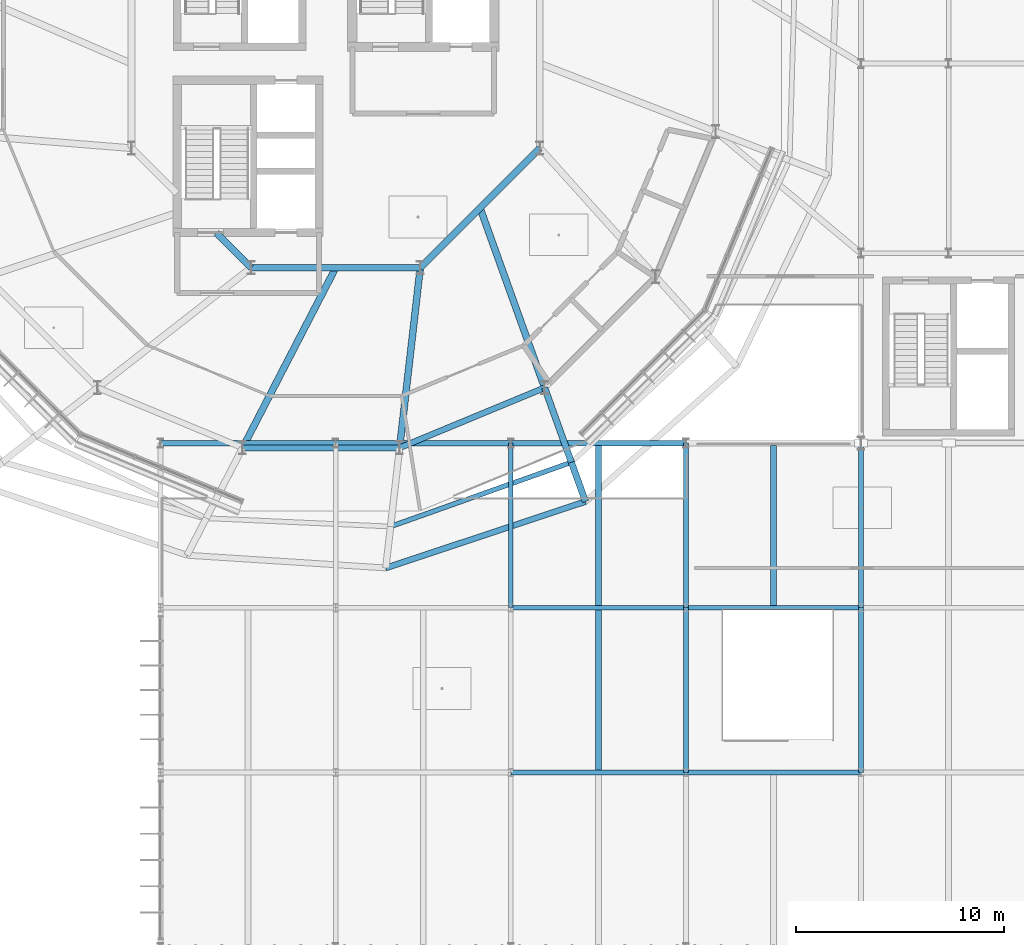
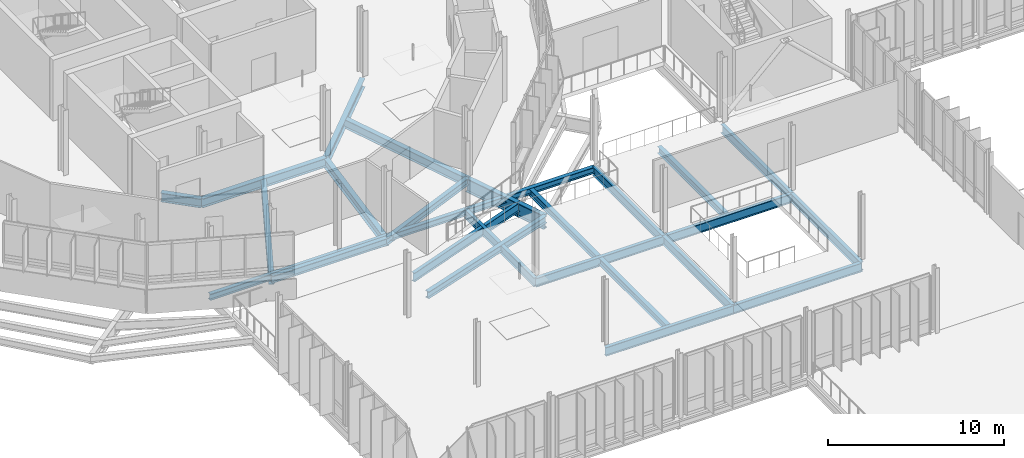
# One storey, part 30 of 139: 27 beams.
"""IFC4 building model written with IfcOpenShell, lengths in metres."""

from ifc_helpers import new_model, si_unit, derived_unit, direction, frame, origin, origin_2d, place, context, subcontext, project, spatial, i_section, extrude, material, material_profile, profile_set, type_object, element, save


model = new_model("IFC4")

# Units and contexts
model_context = context("Model", 3, precision=1e-05, world=origin(), true_north=direction((0.0, 1.0)))
body_context = subcontext(model_context, "Body", "Model", "MODEL_VIEW")
ifc_project = project(units=[si_unit("LENGTHUNIT", "METRE"), si_unit("AREAUNIT", "SQUARE_METRE"), si_unit("VOLUMEUNIT", "CUBIC_METRE"), si_unit("PLANEANGLEUNIT", "RADIAN"), si_unit("MASSUNIT", "GRAM", prefix="KILO"), derived_unit("THERMALTRANSMITTANCEUNIT", [(si_unit("MASSUNIT", "GRAM", prefix="KILO"), 1), (si_unit("TIMEUNIT", "SECOND"), -3), (si_unit("THERMODYNAMICTEMPERATUREUNIT", "KELVIN"), -1)])], contexts=[model_context])

# Site, building, storey
site_placement = place(None, origin())
site = spatial("IfcSite", under=ifc_project, at=site_placement, CompositionType="ELEMENT")
building_placement = place(site_placement, origin())
building = spatial("IfcBuilding", under=site, at=building_placement, Name="Makaiwela Harbour Ferry Terminal", CompositionType="ELEMENT")
storey_placement = place(building_placement, frame((0.0, 0.0, 5.10009765625)))
storey = spatial("IfcBuildingStorey", under=building, at=storey_placement, Name="L01", CompositionType="ELEMENT", Elevation=5.10009765625)

# Beams
ifc_material = material(Name="Steel ASTM A992 Grade 50", Category="steel")
ifc_material_profile_1 = material_profile(ifc_material, i_section(OverallWidth=0.280029296875, OverallDepth=0.462890625, WebThickness=0.0107421875, FlangeThickness=0.017333984375, at=origin_2d()), Name="W18X76")
ifc_profile_set_1 = profile_set([ifc_material_profile_1], Name="Steel ASTM A992 Grade 50")
beam_type_1 = type_object("IfcBeamType", Name="STR-BM-W18X76", PredefinedType="BEAM", material=ifc_profile_set_1)
beam_1_placement = place(storey_placement, frame((50.39990234375, 33.696533203125, -0.51171875), z_axis=(0.0, 1.0, 0.0), x_axis=(-1.0, 0.0, 0.0)))
element("IfcBeam", 1, at=beam_1_placement, inside=storey, type_object=beam_type_1, Name="Secondary floor beam 1068", PredefinedType="BEAM", context=body_context, shape_type="SweptSolid", body=[
    extrude(i_section(OverallWidth=0.280029296875, OverallDepth=0.462890625, WebThickness=0.0107421875, FlangeThickness=0.017333984375, at=origin_2d()), origin(), (0.0, 0.0, 1.0), 7.70703125),
])
for number, where, z_axis, x_axis, name in (
    (2, (50.39990234375, 41.596435546875, -0.51171875), (0.0, 1.0, 0.0), (-1.0, 0.0, 0.0), "Secondary floor beam 1069"),
    (3, (58.800048828125, 41.596435546875, -0.51171875), (0.0, 1.0, 0.0), (-1.0, 0.0, 0.0), "Secondary floor beam 1074"),
):
    element("IfcBeam", number, at=place(storey_placement, frame(where, z_axis=z_axis, x_axis=x_axis)), inside=storey, type_object=beam_type_1, Name=name, PredefinedType="BEAM", context=body_context, shape_type="SweptSolid", body=[
        extrude(i_section(OverallWidth=0.280029296875, OverallDepth=0.462890625, WebThickness=0.0107421875, FlangeThickness=0.017333984375, at=origin_2d()), origin(), (0.0, 0.0, 1.0), 7.68896484375),
    ])
ifc_material_profile_2 = material_profile(ifc_material, i_section(OverallWidth=0.324951171875, OverallDepth=0.615966796875, WebThickness=0.013916015625, FlangeThickness=0.021484375, at=origin_2d()), Name="W24X117")
ifc_profile_set_2 = profile_set([ifc_material_profile_2], Name="Steel ASTM A992 Grade 50")
beam_type_2 = type_object("IfcBeamType", Name="STR-GRD-W24X117", PredefinedType="USERDEFINED", material=ifc_profile_set_2)
beam_2_placement = place(storey_placement, frame((32.070556640625, 59.47998046875, -0.588134765625), z_axis=(0.707106781187, -0.707106781187, 0.0), x_axis=(0.707106781187, 0.707106781187, 0.0)))
element("IfcBeam", 4, at=beam_2_placement, inside=storey, type_object=beam_type_2, Name="Drum inner ring girder 8", ObjectType="GIRDER", PredefinedType="USERDEFINED", context=body_context, shape_type="SweptSolid", body=[
    extrude(i_section(OverallWidth=0.324951171875, OverallDepth=0.615966796875, WebThickness=0.013916015625, FlangeThickness=0.021484375, at=origin_2d()), origin(), (0.0, 0.0, 1.0), 2.3662109375),
])
for number, where, z_axis, x_axis, name in (
    (5, (33.74365234375, 57.806884765625, -0.588134765625), (1.0, 0.0, 0.0), (0.0, 1.0, 0.0), "Drum inner ring girder 9"),
    (6, (41.8564453125, 57.806884765625, -0.588134765625), (0.707091734601, 0.707121827452, 0.0), (-0.707121827452, 0.707091734601, 0.0), "Drum inner ring girder 10"),
):
    element("IfcBeam", number, at=place(storey_placement, frame(where, z_axis=z_axis, x_axis=x_axis)), inside=storey, type_object=beam_type_2, Name=name, ObjectType="GIRDER", PredefinedType="USERDEFINED", context=body_context, shape_type="SweptSolid", body=[
        extrude(i_section(OverallWidth=0.324951171875, OverallDepth=0.615966796875, WebThickness=0.013916015625, FlangeThickness=0.021484375, at=origin_2d()), origin(), (0.0, 0.0, 1.0), 8.11279296875),
    ])
beam_3_placement = place(storey_placement, frame((37.800048828125, 57.806884765625, -0.588134765625), z_axis=(-0.459296530257, -0.888283005181, 0.0), x_axis=(0.888283005181, -0.459296530257, 0.0)))
element("IfcBeam", 7, at=beam_3_placement, inside=storey, type_object=beam_type_2, Name="Drum radial girder 63", ObjectType="GIRDER", PredefinedType="USERDEFINED", context=body_context, shape_type="SweptSolid", body=[
    extrude(i_section(OverallWidth=0.324951171875, OverallDepth=0.615966796875, WebThickness=0.013916015625, FlangeThickness=0.021484375, at=origin_2d()), origin(), (0.0, 0.0, 1.0), 9.72216796875),
])
beam_4_placement = place(storey_placement, frame((41.8564453125, 57.806884765625, -0.588134765625), z_axis=(-0.11402817728, -0.993477515994, 0.0), x_axis=(0.993477515994, -0.11402817728, 0.0)))
element("IfcBeam", 8, at=beam_4_placement, inside=storey, type_object=beam_type_2, Name="Drum radial girder 66", ObjectType="GIRDER", PredefinedType="USERDEFINED", context=body_context, shape_type="SweptSolid", body=[
    extrude(i_section(OverallWidth=0.324951171875, OverallDepth=0.615966796875, WebThickness=0.013916015625, FlangeThickness=0.021484375, at=origin_2d()), origin(), (0.0, 0.0, 1.0), 8.692626953125),
])
beam_5_placement = place(storey_placement, frame((44.724853515625, 60.67529296875, -0.588134765625), z_axis=(0.338086262621, -0.941115125278, 0.0), x_axis=(0.941115125278, 0.338086262621, 0.0)))
element("IfcBeam", 9, at=beam_5_placement, inside=storey, type_object=beam_type_2, Name="Drum radial girder 69", ObjectType="GIRDER", PredefinedType="USERDEFINED", context=body_context, shape_type="SweptSolid", body=[
    extrude(i_section(OverallWidth=0.324951171875, OverallDepth=0.615966796875, WebThickness=0.013916015625, FlangeThickness=0.021484375, at=origin_2d()), origin(), (0.0, 0.0, 1.0), 9.162353515625),
])
ifc_material_profile_3 = material_profile(ifc_material, i_section(OverallWidth=0.22900390625, OverallDepth=0.612060546875, WebThickness=0.011962890625, FlangeThickness=0.01953125, at=origin_2d()), Name="W24X84")
ifc_profile_set_3 = profile_set([ifc_material_profile_3], Name="Steel ASTM A992 Grade 50")
beam_type_3 = type_object("IfcBeamType", Name="STR-GRD-W24X84", PredefinedType="USERDEFINED", material=ifc_profile_set_3)
beam_6_placement = place(storey_placement, frame((40.431884765625, 45.3955078125, -0.586181640625), z_axis=(0.942345758872, 0.334640808533, 0.0), x_axis=(-0.334640808533, 0.942345758872, 0.0)))
element("IfcBeam", 10, at=beam_6_placement, inside=storey, type_object=beam_type_3, Name="Drum overhang tie girder 99", ObjectType="GIRDER", PredefinedType="USERDEFINED", context=body_context, shape_type="SweptSolid", body=[
    extrude(i_section(OverallWidth=0.22900390625, OverallDepth=0.612060546875, WebThickness=0.011962890625, FlangeThickness=0.01953125, at=origin_2d()), origin(), (0.0, 0.0, 1.0), 9.206298828125),
])
beam_7_placement = place(storey_placement, frame((46.199951171875, 33.60009765625, -0.586181640625), z_axis=(1.0, 0.0, 0.0), x_axis=(0.0, 1.0, 0.0)))
element("IfcBeam", 11, at=beam_7_placement, inside=storey, type_object=beam_type_3, Name="Primary X girder 781", ObjectType="GIRDER", PredefinedType="USERDEFINED", context=body_context, shape_type="SweptSolid", body=[
    extrude(i_section(OverallWidth=0.22900390625, OverallDepth=0.612060546875, WebThickness=0.011962890625, FlangeThickness=0.01953125, at=origin_2d()), origin(), (0.0, 0.0, 1.0), 8.400146484375),
])
beam_8_placement = place(storey_placement, frame((54.60009765625, 33.60009765625, -0.586181640625), z_axis=(1.0, 0.0, 0.0), x_axis=(0.0, 1.0, 0.0)))
element("IfcBeam", 12, at=beam_8_placement, inside=storey, type_object=beam_type_3, Name="Primary X girder 782", ObjectType="GIRDER", PredefinedType="USERDEFINED", context=body_context, shape_type="SweptSolid", body=[
    extrude(i_section(OverallWidth=0.22900390625, OverallDepth=0.612060546875, WebThickness=0.011962890625, FlangeThickness=0.01953125, at=origin_2d()), origin(), (0.0, 0.0, 1.0), 8.39990234375),
])
beam_9_placement = place(storey_placement, frame((46.199951171875, 41.5, -0.586181640625), z_axis=(1.0, 0.0, 0.0), x_axis=(0.0, 1.0, 0.0)))
element("IfcBeam", 13, at=beam_9_placement, inside=storey, type_object=beam_type_3, Name="Primary X girder 798", ObjectType="GIRDER", PredefinedType="USERDEFINED", context=body_context, shape_type="SweptSolid", body=[
    extrude(i_section(OverallWidth=0.22900390625, OverallDepth=0.612060546875, WebThickness=0.011962890625, FlangeThickness=0.01953125, at=origin_2d()), origin(), (0.0, 0.0, 1.0), 8.400146484375),
])
beam_10_placement = place(storey_placement, frame((54.60009765625, 41.5, -0.586181640625), z_axis=(1.0, 0.0, 0.0), x_axis=(0.0, 1.0, 0.0)))
element("IfcBeam", 14, at=beam_10_placement, inside=storey, type_object=beam_type_3, Name="Primary X girder 799", ObjectType="GIRDER", PredefinedType="USERDEFINED", context=body_context, shape_type="SweptSolid", body=[
    extrude(i_section(OverallWidth=0.22900390625, OverallDepth=0.612060546875, WebThickness=0.011962890625, FlangeThickness=0.01953125, at=origin_2d()), origin(), (0.0, 0.0, 1.0), 8.39990234375),
])
for number, where, z_axis, x_axis, name in (
    (15, (46.199951171875, 41.5, -0.586181640625), (0.0, 1.0, 0.0), (-1.0, 0.0, 0.0), "Primary Y girder 915"),
    (16, (54.60009765625, 33.60009765625, -0.586181640625), (0.0, 1.0, 0.0), (-1.0, 0.0, 0.0), "Primary Y girder 920"),
    (17, (54.60009765625, 41.5, -0.586181640625), (0.0, 1.0, 0.0), (-1.0, 0.0, 0.0), "Primary Y girder 921"),
    (18, (63.0, 33.60009765625, -0.586181640625), (0.0, 1.0, 0.0), (-1.0, 0.0, 0.0), "Primary Y girder 926"),
    (19, (63.0, 41.5, -0.586181640625), (0.0, 1.0, 0.0), (-1.0, 0.0, 0.0), "Primary Y girder 927"),
):
    element("IfcBeam", number, at=place(storey_placement, frame(where, z_axis=z_axis, x_axis=x_axis)), inside=storey, type_object=beam_type_3, Name=name, ObjectType="GIRDER", PredefinedType="USERDEFINED", context=body_context, shape_type="SweptSolid", body=[
        extrude(i_section(OverallWidth=0.22900390625, OverallDepth=0.612060546875, WebThickness=0.011962890625, FlangeThickness=0.01953125, at=origin_2d()), origin(), (0.0, 0.0, 1.0), 7.89990234375),
    ])
ifc_material_profile_4 = material_profile(ifc_material, i_section(OverallWidth=0.31005859375, OverallDepth=0.949951171875, WebThickness=0.0244140625, FlangeThickness=0.0439453125, at=origin_2d()), Name="W36X256")
ifc_profile_set_4 = profile_set([ifc_material_profile_4], Name="Steel ASTM A992 Grade 50")
beam_type_4 = type_object("IfcBeamType", Name="STR-GRD-W36X256", PredefinedType="USERDEFINED", material=ifc_profile_set_4)
beam_11_placement = place(storey_placement, frame((47.822509765625, 52.052490234375, -0.755126953125), z_axis=(0.338134714011, -0.941097718189, 0.0), x_axis=(0.941097718189, 0.338134714011, 0.0)))
element("IfcBeam", 20, at=beam_11_placement, inside=storey, type_object=beam_type_4, Name="Drum radial overhang 70", ObjectType="GIRDER", PredefinedType="USERDEFINED", context=body_context, shape_type="SweptSolid", body=[
    extrude(i_section(OverallWidth=0.31005859375, OverallDepth=0.949951171875, WebThickness=0.0244140625, FlangeThickness=0.0439453125, at=origin_2d()), origin(), (0.0, 0.0, 1.0), 3.800048828125),
])
beam_12_placement = place(storey_placement, frame((49.107421875, 48.476318359375, -0.755126953125), z_axis=(0.338044990748, -0.941129950767, 0.0), x_axis=(0.941129950767, 0.338044990748, 0.0)))
element("IfcBeam", 21, at=beam_12_placement, inside=storey, type_object=beam_type_4, Name="Drum overhang radial girder 71", ObjectType="GIRDER", PredefinedType="USERDEFINED", context=body_context, shape_type="SweptSolid", body=[
    extrude(i_section(OverallWidth=0.31005859375, OverallDepth=0.949951171875, WebThickness=0.0244140625, FlangeThickness=0.0439453125, at=origin_2d()), origin(), (0.0, 0.0, 1.0), 1.999755859375),
])
ifc_material_profile_5 = material_profile(ifc_material, i_section(OverallWidth=0.264892578125, OverallDepth=0.430908203125, WebThickness=0.014892578125, FlangeThickness=0.02490234375, at=origin_2d()), Name="W16X100")
ifc_profile_set_5 = profile_set([ifc_material_profile_5], Name="Steel ASTM A992 Grade 50")
beam_type_5 = type_object("IfcBeamType", Name="STR-SPN-W16X100", PredefinedType="SPANDREL", material=ifc_profile_set_5)
beam_13_placement = place(storey_placement, frame((29.39990234375, 49.39990234375, -0.49560546875), z_axis=(1.0, 0.0, 0.0), x_axis=(0.0, 1.0, 0.0)))
element("IfcBeam", 22, at=beam_13_placement, inside=storey, type_object=beam_type_5, Name="Primary X girder 805", PredefinedType="SPANDREL", context=body_context, shape_type="SweptSolid", body=[
    extrude(i_section(OverallWidth=0.264892578125, OverallDepth=0.430908203125, WebThickness=0.014892578125, FlangeThickness=0.02490234375, at=origin_2d()), origin(), (0.0, 0.0, 1.0), 8.400146484375),
])
beam_14_placement = place(storey_placement, frame((37.800048828125, 49.39990234375, -0.49560546875), z_axis=(1.0, 0.0, 0.0), x_axis=(0.0, 1.0, 0.0)))
element("IfcBeam", 23, at=beam_14_placement, inside=storey, type_object=beam_type_5, Name="Primary X girder 806", PredefinedType="SPANDREL", context=body_context, shape_type="SweptSolid", body=[
    extrude(i_section(OverallWidth=0.264892578125, OverallDepth=0.430908203125, WebThickness=0.014892578125, FlangeThickness=0.02490234375, at=origin_2d()), origin(), (0.0, 0.0, 1.0), 8.39990234375),
])
beam_15_placement = place(storey_placement, frame((46.199951171875, 49.39990234375, -0.49560546875), z_axis=(1.0, 0.0, 0.0), x_axis=(0.0, 1.0, 0.0)))
element("IfcBeam", 24, at=beam_15_placement, inside=storey, type_object=beam_type_5, Name="Primary X girder 807", PredefinedType="SPANDREL", context=body_context, shape_type="SweptSolid", body=[
    extrude(i_section(OverallWidth=0.264892578125, OverallDepth=0.430908203125, WebThickness=0.014892578125, FlangeThickness=0.02490234375, at=origin_2d()), origin(), (0.0, 0.0, 1.0), 8.400146484375),
])
ifc_material_profile_6 = material_profile(ifc_material, i_section(OverallWidth=0.283935546875, OverallDepth=0.47607421875, WebThickness=0.014892578125, FlangeThickness=0.02392578125, at=origin_2d()), Name="W18X106")
ifc_profile_set_6 = profile_set([ifc_material_profile_6], Name="Steel ASTM A992 Grade 50")
beam_type_6 = type_object("IfcBeamType", Name="STR-SPN-W18X106", PredefinedType="SPANDREL", material=ifc_profile_set_6)
for number, where, z_axis, x_axis, name in (
    (25, (33.334716796875, 49.1708984375, -0.51806640625), (1.0, 0.0, 0.0), (0.0, 1.0, 0.0), "Drum column ring girder 23"),
    (26, (40.865234375, 49.1708984375, -0.51806640625), (0.92388920519, 0.382660079618, 0.0), (-0.382660079618, 0.92388920519, 0.0), "Drum column ring girder 24"),
):
    element("IfcBeam", number, at=place(storey_placement, frame(where, z_axis=z_axis, x_axis=x_axis)), inside=storey, type_object=beam_type_6, Name=name, PredefinedType="SPANDREL", context=body_context, shape_type="SweptSolid", body=[
        extrude(i_section(OverallWidth=0.283935546875, OverallDepth=0.47607421875, WebThickness=0.014892578125, FlangeThickness=0.02392578125, at=origin_2d()), origin(), (0.0, 0.0, 1.0), 7.530517578125),
    ])
beam_16_placement = place(storey_placement, frame((40.203857421875, 43.40869140625, -0.51806640625), z_axis=(0.948910377398, 0.3155457109, 0.0), x_axis=(-0.3155457109, 0.948910377398, 0.0)))
element("IfcBeam", 27, at=beam_16_placement, inside=storey, type_object=beam_type_6, Name="Drum perimeter spandrel 112", PredefinedType="SPANDREL", context=body_context, shape_type="SweptSolid", body=[
    extrude(i_section(OverallWidth=0.283935546875, OverallDepth=0.47607421875, WebThickness=0.014892578125, FlangeThickness=0.02392578125, at=origin_2d()), origin(), (0.0, 0.0, 1.0), 10.095458984375),
])

save(model, "model.ifc")
